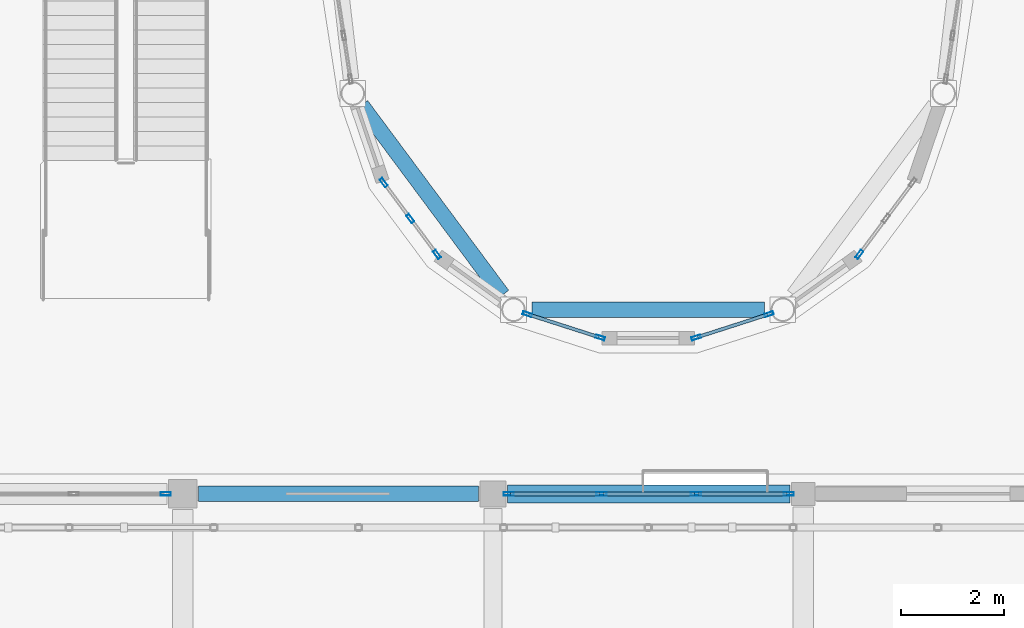
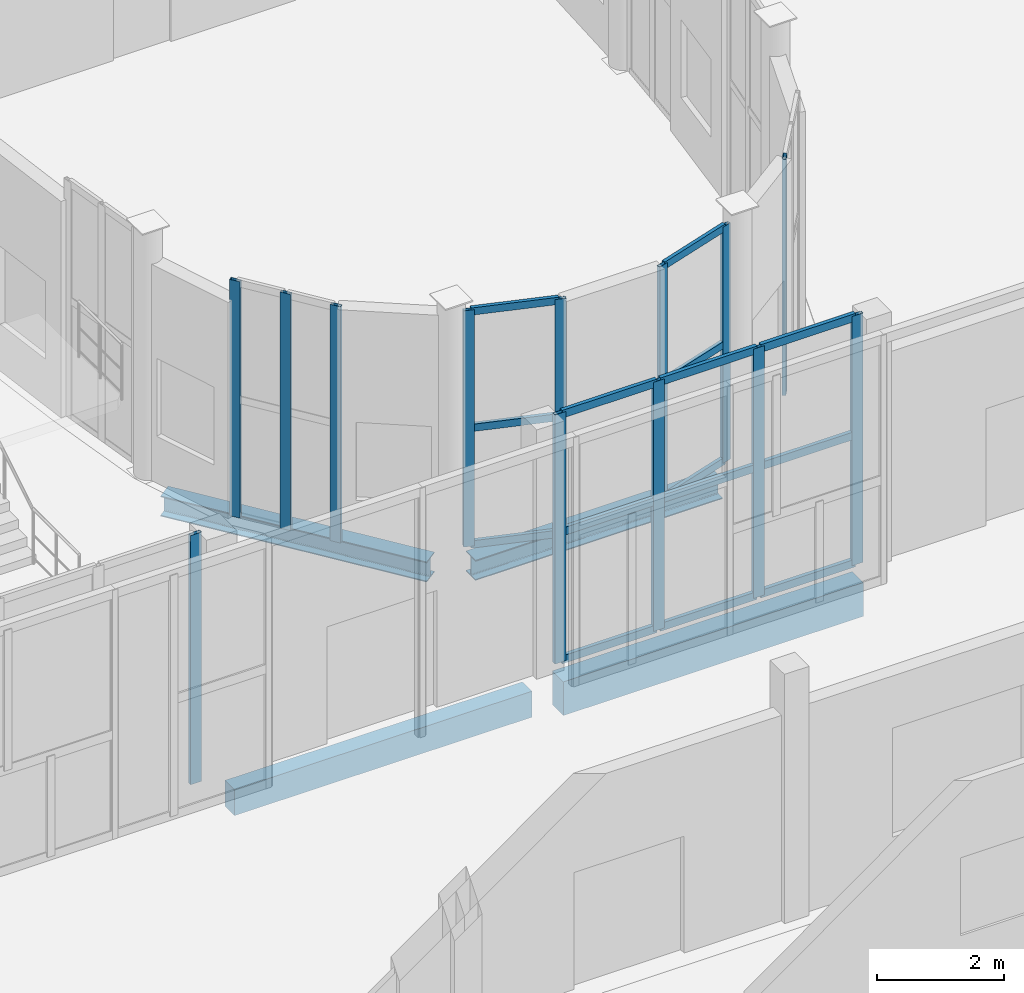
# One storey, part 28 of 91: 28 members, 4 beams, 6 elements without a shape of their own.
"""IFC4 building model written with IfcOpenShell, lengths in metres."""

from ifc_helpers import new_model, si_unit, direction, frame, origin, origin_2d, place, context, subcontext, project, spatial, rectangle, hollow_rectangle, i_section, extrude, material, layer, layer_set, material_profile, profile_set, type_object, element, aggregate, save


model = new_model("IFC4")

# Units and contexts
model_context = context("Model", 3, precision=1e-05, world=origin(), true_north=direction((0.0, 1.0)))
body_context = subcontext(model_context, "Body", "Model", "MODEL_VIEW")
ifc_project = project(units=[si_unit("LENGTHUNIT", "METRE"), si_unit("AREAUNIT", "SQUARE_METRE"), si_unit("VOLUMEUNIT", "CUBIC_METRE"), si_unit("PLANEANGLEUNIT", "RADIAN"), si_unit("MASSUNIT", "GRAM", prefix="KILO")], contexts=[model_context])

# Site, building, storey
site_placement = place(None, origin())
site = spatial("IfcSite", under=ifc_project, at=site_placement, CompositionType="ELEMENT")
building_placement = place(site_placement, origin())
building = spatial("IfcBuilding", under=site, at=building_placement, Name="Vinh Khe Railworks Police Headquarters", CompositionType="ELEMENT")
storey_placement = place(building_placement, origin())
storey = spatial("IfcBuildingStorey", under=building, at=storey_placement, Name="L00", CompositionType="ELEMENT", Elevation=0.0)

# Curtain wall, members
ifc_material_1 = material(Name="Anodised aluminium and acoustic laminated glass", Category="aluminium")
ifc_layer_1 = layer(ifc_material_1, 0.159912109375)
ifc_layer_set_1 = layer_set([ifc_layer_1], Name="Anodised aluminium and acoustic laminated glass")
curtain_wall_type_1 = type_object("IfcCurtainWallType", Name="CW-DRUM-CHORD", PredefinedType="USERDEFINED", material=ifc_layer_set_1)
curtain_wall_1_placement = place(storey_placement, origin())
curtain_wall_1 = element("IfcCurtainWall", 1, at=curtain_wall_1_placement, inside=storey, type_object=curtain_wall_type_1, Name="Elliptical Command Drum Glazing L00 Chord 29", ObjectType="DRUM FACADE GLAZING", PredefinedType="USERDEFINED")
ifc_material_2 = material(Name="Anodised aluminium 6063-T6", Category="aluminium")
ifc_material_profile_1 = material_profile(ifc_material_2, hollow_rectangle(XDim=0.06494140625, YDim=0.179931640625, WallThickness=0.0048828125, at=origin_2d()), Name="CW-M 65x180x5")
ifc_profile_set_1 = profile_set([ifc_material_profile_1], Name="Anodised aluminium 6063-T6")
member_type_1 = type_object("IfcMemberType", Name="MULL-CWM-02", PredefinedType="MULLION", material=ifc_profile_set_1)
member_1_placement = place(storey_placement, frame((38.085205078125, 31.22021484375, 0.0), z_axis=(0.0, 0.0, 1.0), x_axis=(0.802591949394, 0.596528425784, 0.0)))
member_1 = element("IfcMember", 2, at=member_1_placement, type_object=member_type_1, Name="CW-02 mullion 1", PredefinedType="MULLION", context=body_context, shape_type="SweptSolid", body=[
    extrude(hollow_rectangle(XDim=0.06494140625, YDim=0.179931640625, WallThickness=0.0048828125, at=origin_2d()), origin(), (0.0, 0.0, 1.0), 4.550048828125),
])
member_2_placement = place(storey_placement, frame((38.60107421875, 30.5263671875, 0.0), z_axis=(0.0, 0.0, 1.0), x_axis=(0.802591949394, 0.596528425784, 0.0)))
member_2 = element("IfcMember", 3, at=member_2_placement, type_object=member_type_1, Name="CW-02 mullion 2", PredefinedType="MULLION", context=body_context, shape_type="SweptSolid", body=[
    extrude(hollow_rectangle(XDim=0.06494140625, YDim=0.179931640625, WallThickness=0.0048828125, at=origin_2d()), origin(), (0.0, 0.0, 1.0), 4.550048828125),
])
member_3_placement = place(storey_placement, frame((39.11669921875, 29.83251953125, 0.0), z_axis=(0.0, 0.0, 1.0), x_axis=(0.802591949394, 0.596528425784, 0.0)))
member_3 = element("IfcMember", 4, at=member_3_placement, type_object=member_type_1, Name="CW-02 mullion 3", PredefinedType="MULLION", context=body_context, shape_type="SweptSolid", body=[
    extrude(hollow_rectangle(XDim=0.06494140625, YDim=0.179931640625, WallThickness=0.0048828125, at=origin_2d()), origin(), (0.0, 0.0, 1.0), 4.550048828125),
])
aggregate(curtain_wall_1, [member_1, member_2, member_3])

curtain_wall_2_placement = place(storey_placement, origin())
curtain_wall_2 = element("IfcCurtainWall", 5, at=curtain_wall_2_placement, inside=storey, type_object=curtain_wall_type_1, Name="Elliptical Command Drum Glazing L00 Chord 31", ObjectType="DRUM FACADE GLAZING", PredefinedType="USERDEFINED")
member_4_placement = place(storey_placement, frame((40.862548828125, 28.6767578125, 0.0), z_axis=(0.0, 0.0, 1.0), x_axis=(0.30557599733, 0.952167689987, 0.0)))
member_4 = element("IfcMember", 6, at=member_4_placement, type_object=member_type_1, Name="CW-02 mullion 1", PredefinedType="MULLION", context=body_context, shape_type="SweptSolid", body=[
    extrude(hollow_rectangle(XDim=0.06494140625, YDim=0.179931640625, WallThickness=0.0048828125, at=origin_2d()), origin(), (0.0, 0.0, 1.0), 4.550048828125),
])
member_5_placement = place(storey_placement, frame((42.27197265625, 28.224365234375, 0.0), z_axis=(0.0, 0.0, 1.0), x_axis=(0.30557599733, 0.952167689987, 0.0)))
member_5 = element("IfcMember", 7, at=member_5_placement, type_object=member_type_1, Name="CW-02 mullion 2", PredefinedType="MULLION", context=body_context, shape_type="SweptSolid", body=[
    extrude(hollow_rectangle(XDim=0.06494140625, YDim=0.179931640625, WallThickness=0.0048828125, at=origin_2d()), origin(), (0.0, 0.0, 1.0), 4.550048828125),
])

curtain_wall_3_placement = place(storey_placement, origin())
curtain_wall_3 = element("IfcCurtainWall", 8, at=curtain_wall_3_placement, inside=storey, type_object=curtain_wall_type_1, Name="Elliptical Command Drum Glazing L00 Chord 33", ObjectType="DRUM FACADE GLAZING", PredefinedType="USERDEFINED")
member_6_placement = place(storey_placement, frame((44.1279296875, 28.224365234375, 0.0), z_axis=(0.0, 0.0, 1.0), x_axis=(-0.30557599733, 0.952167689987, 0.0)))
member_6 = element("IfcMember", 9, at=member_6_placement, type_object=member_type_1, Name="CW-02 mullion 1", PredefinedType="MULLION", context=body_context, shape_type="SweptSolid", body=[
    extrude(hollow_rectangle(XDim=0.06494140625, YDim=0.179931640625, WallThickness=0.0048828125, at=origin_2d()), origin(), (0.0, 0.0, 1.0), 4.550048828125),
])
member_7_placement = place(storey_placement, frame((45.53759765625, 28.6767578125, 0.0), z_axis=(0.0, 0.0, 1.0), x_axis=(-0.30557599733, 0.952167689987, 0.0)))
member_7 = element("IfcMember", 10, at=member_7_placement, type_object=member_type_1, Name="CW-02 mullion 2", PredefinedType="MULLION", context=body_context, shape_type="SweptSolid", body=[
    extrude(hollow_rectangle(XDim=0.06494140625, YDim=0.179931640625, WallThickness=0.0048828125, at=origin_2d()), origin(), (0.0, 0.0, 1.0), 4.550048828125),
])

# Curtain wall, member
curtain_wall_4_placement = place(storey_placement, origin())
curtain_wall_4 = element("IfcCurtainWall", 11, at=curtain_wall_4_placement, inside=storey, type_object=curtain_wall_type_1, Name="Elliptical Command Drum Glazing L00 Chord 35", ObjectType="DRUM FACADE GLAZING", PredefinedType="USERDEFINED")
member_8_placement = place(storey_placement, frame((47.283447265625, 29.83251953125, 0.0), z_axis=(0.0, 0.0, 1.0), x_axis=(-0.802591949394, 0.596528425784, 0.0)))
member_8 = element("IfcMember", 12, at=member_8_placement, type_object=member_type_1, Name="CW-02 mullion 1", PredefinedType="MULLION", context=body_context, shape_type="SweptSolid", body=[
    extrude(hollow_rectangle(XDim=0.06494140625, YDim=0.179931640625, WallThickness=0.0048828125, at=origin_2d()), origin(), (0.0, 0.0, 1.0), 4.550048828125),
])
aggregate(curtain_wall_4, [member_8])

ifc_material_3 = material(Name="Anodised aluminium and low-iron glass", Category="aluminium")
ifc_layer_2 = layer(ifc_material_3, 0.179931640625)
ifc_layer_set_2 = layer_set([ifc_layer_2], Name="Anodised aluminium and low-iron glass")
curtain_wall_type_2 = type_object("IfcCurtainWallType", Name="CW-CUBE-UNIT", PredefinedType="USERDEFINED", material=ifc_layer_set_2)
curtain_wall_5_placement = place(storey_placement, origin())
curtain_wall_5 = element("IfcCurtainWall", 13, at=curtain_wall_5_placement, inside=storey, type_object=curtain_wall_type_2, Name="Entrance Hall Curtain Wall L00 S-1", ObjectType="UNITISED GLAZING", PredefinedType="USERDEFINED")
ifc_material_profile_2 = material_profile(ifc_material_2, hollow_rectangle(XDim=0.070068359375, YDim=0.199951171875, WallThickness=0.0048828125, at=origin_2d()), Name="CW-M 70x200x5")
ifc_profile_set_2 = profile_set([ifc_material_profile_2], Name="Anodised aluminium 6063-T6")
member_type_2 = type_object("IfcMemberType", Name="MULL-CWM-03", PredefinedType="MULLION", material=ifc_profile_set_2)
member_9_placement = place(storey_placement, frame((33.8701171875, 25.199951171875, 0.0), z_axis=(0.0, 0.0, 1.0), x_axis=(0.0, 1.0, 0.0)))
member_9 = element("IfcMember", 14, at=member_9_placement, type_object=member_type_2, Name="CW-01 mullion 5", PredefinedType="MULLION", context=body_context, shape_type="SweptSolid", body=[
    extrude(hollow_rectangle(XDim=0.070068359375, YDim=0.199951171875, WallThickness=0.0048828125, at=origin_2d()), origin(), (0.0, 0.0, 1.0), 4.800048828125),
])
aggregate(curtain_wall_5, [member_9])

# Curtain wall, members
curtain_wall_6_placement = place(storey_placement, origin())
curtain_wall_6 = element("IfcCurtainWall", 15, at=curtain_wall_6_placement, inside=storey, type_object=curtain_wall_type_2, Name="Entrance Hall Curtain Wall L00 S-3", ObjectType="UNITISED GLAZING", PredefinedType="USERDEFINED")
member_10_placement = place(storey_placement, frame((40.5048828125, 25.199951171875, 0.0), z_axis=(0.0, 0.0, 1.0), x_axis=(0.0, 1.0, 0.0)))
member_10 = element("IfcMember", 16, at=member_10_placement, type_object=member_type_2, Name="CW-01 mullion 1", PredefinedType="MULLION", context=body_context, shape_type="SweptSolid", body=[
    extrude(hollow_rectangle(XDim=0.070068359375, YDim=0.199951171875, WallThickness=0.0048828125, at=origin_2d()), origin(), (0.0, 0.0, 1.0), 4.800048828125),
])
member_11_placement = place(storey_placement, frame((42.29833984375, 25.199951171875, 0.0), z_axis=(0.0, 0.0, 1.0), x_axis=(0.0, 1.0, 0.0)))
member_11 = element("IfcMember", 17, at=member_11_placement, type_object=member_type_2, Name="CW-01 mullion 2", PredefinedType="MULLION", context=body_context, shape_type="SweptSolid", body=[
    extrude(hollow_rectangle(XDim=0.070068359375, YDim=0.199951171875, WallThickness=0.0048828125, at=origin_2d()), origin(), (0.0, 0.0, 1.0), 4.800048828125),
])
member_12_placement = place(storey_placement, frame((44.126708984375, 25.199951171875, 0.0), z_axis=(0.0, 0.0, 1.0), x_axis=(0.0, 1.0, 0.0)))
member_12 = element("IfcMember", 18, at=member_12_placement, type_object=member_type_2, Name="CW-01 mullion 3", PredefinedType="MULLION", context=body_context, shape_type="SweptSolid", body=[
    extrude(hollow_rectangle(XDim=0.070068359375, YDim=0.199951171875, WallThickness=0.0048828125, at=origin_2d()), origin(), (0.0, 0.0, 1.0), 4.800048828125),
])
member_13_placement = place(storey_placement, frame((45.919921875, 25.199951171875, 0.0), z_axis=(0.0, 0.0, 1.0), x_axis=(0.0, 1.0, 0.0)))
member_13 = element("IfcMember", 19, at=member_13_placement, type_object=member_type_2, Name="CW-01 mullion 4", PredefinedType="MULLION", context=body_context, shape_type="SweptSolid", body=[
    extrude(hollow_rectangle(XDim=0.070068359375, YDim=0.199951171875, WallThickness=0.0048828125, at=origin_2d()), origin(), (0.0, 0.0, 1.0), 4.800048828125),
])

# Beams
ifc_material_4 = material(Name="Concrete C35/45 (B35)", Category="concrete")
ifc_material_profile_3 = material_profile(ifc_material_4, rectangle(XDim=0.300048828125, YDim=0.5, at=origin_2d()), Name="RC 300x500")
ifc_profile_set_3 = profile_set([ifc_material_profile_3], Name="Concrete C35/45 (B35)")
beam_type_1 = type_object("IfcBeamType", Name="RC Girder RC 300x500", PredefinedType="BEAM", material=ifc_profile_set_3)
beam_1_placement = place(storey_placement, frame((34.5048828125, 25.199951171875, -0.530029296875), z_axis=(1.0, 0.0, 0.0), x_axis=(0.0, 1.0, 0.0)))
element("IfcBeam", 20, at=beam_1_placement, inside=storey, type_object=beam_type_1, Name="Girder BM-L00-EW-RB-10-0039", PredefinedType="BEAM", context=body_context, shape_type="SweptSolid", body=[
    extrude(rectangle(XDim=0.300048828125, YDim=0.5, at=origin_2d()), origin(), (0.0, 0.0, 1.0), 5.4150390625),
])
ifc_material_profile_4 = material_profile(ifc_material_4, rectangle(XDim=0.35009765625, YDim=0.64990234375, at=origin_2d()), Name="RC 350x650")
ifc_profile_set_4 = profile_set([ifc_material_profile_4], Name="Concrete C35/45 (B35)")
beam_type_2 = type_object("IfcBeamType", Name="RC Girder RC 350x650", PredefinedType="BEAM", material=ifc_profile_set_4)
beam_2_placement = place(storey_placement, frame((40.47998046875, 25.199951171875, -0.60498046875), z_axis=(1.0, 0.0, 0.0), x_axis=(0.0, 1.0, 0.0)))
element("IfcBeam", 21, at=beam_2_placement, inside=storey, type_object=beam_type_2, Name="Girder BM-L00-EW-RB-08-0040", PredefinedType="BEAM", context=body_context, shape_type="SweptSolid", body=[
    extrude(rectangle(XDim=0.35009765625, YDim=0.64990234375, at=origin_2d()), origin(), (0.0, 0.0, 1.0), 5.465087890625),
])
ifc_material_5 = material(Name="Steel S355JR", Category="steel")
ifc_material_profile_5 = material_profile(ifc_material_5, i_section(OverallWidth=0.300048828125, OverallDepth=0.389892578125, WebThickness=0.010986328125, FlangeThickness=0.01904296875, FilletRadius=0.027099609375, at=origin_2d()), Name="HEA 400")
ifc_profile_set_5 = profile_set([ifc_material_profile_5], Name="Steel S355JR")
beam_type_3 = type_object("IfcBeamType", Name="Steel Girder HEA 400", PredefinedType="BEAM", material=ifc_profile_set_5)
beam_3_placement = place(storey_placement, frame((37.65380859375, 32.719482421875, -0.47509765625), z_axis=(0.59651948992, -0.802598590919, 0.0), x_axis=(0.802598590919, 0.59651948992, 0.0)))
element("IfcBeam", 22, at=beam_3_placement, inside=storey, type_object=beam_type_3, Name="Drum Ring Girder BM-L00-DRUM-SB-14-0392", PredefinedType="BEAM", context=body_context, shape_type="SweptSolid", body=[
    extrude(i_section(OverallWidth=0.300048828125, OverallDepth=0.389892578125, WebThickness=0.010986328125, FlangeThickness=0.01904296875, FilletRadius=0.027099609375, at=origin_2d()), origin(), (0.0, 0.0, 1.0), 4.5751953125),
])
beam_4_placement = place(storey_placement, frame((40.949951171875, 28.762451171875, -0.47509765625), z_axis=(1.0, 0.0, 0.0), x_axis=(0.0, 1.0, 0.0)))
element("IfcBeam", 23, at=beam_4_placement, inside=storey, type_object=beam_type_3, Name="Drum Ring Girder BM-L00-DRUM-SB-14-0393", PredefinedType="BEAM", context=body_context, shape_type="SweptSolid", body=[
    extrude(i_section(OverallWidth=0.300048828125, OverallDepth=0.389892578125, WebThickness=0.010986328125, FlangeThickness=0.01904296875, FilletRadius=0.027099609375, at=origin_2d()), origin(), (0.0, 0.0, 1.0), 4.500244140625),
])

# Member
ifc_material_profile_6 = material_profile(ifc_material_2, hollow_rectangle(XDim=0.06494140625, YDim=0.139892578125, WallThickness=0.00390625, at=origin_2d()), Name="CW-T 65x140x4")
ifc_profile_set_6 = profile_set([ifc_material_profile_6], Name="Anodised aluminium 6063-T6")
member_type_3 = type_object("IfcMemberType", Name="TRAN-CWT-02", PredefinedType="USERDEFINED", material=ifc_profile_set_6)
member_14_placement = place(storey_placement, frame((40.893310546875, 28.666748046875, 0.032470703125), z_axis=(0.952159464985, -0.30560162506, 0.0), x_axis=(0.30560162506, 0.952159464985, 0.0)))
member_14 = element("IfcMember", 24, at=member_14_placement, type_object=member_type_3, Name="CW-02 transom 1.1", ObjectType="TRANSOM", PredefinedType="USERDEFINED", context=body_context, shape_type="SweptSolid", body=[
    extrude(hollow_rectangle(XDim=0.06494140625, YDim=0.139892578125, WallThickness=0.00390625, at=origin_2d()), origin(), (0.0, 0.0, 1.0), 1.41552734375),
])

member_15_placement = place(storey_placement, frame((40.893310546875, 28.666748046875, 2.27490234375), z_axis=(0.952159464985, -0.30560162506, 0.0), x_axis=(0.30560162506, 0.952159464985, 0.0)))
member_15 = element("IfcMember", 25, at=member_15_placement, type_object=member_type_3, Name="CW-02 transom 1.2", ObjectType="TRANSOM", PredefinedType="USERDEFINED", context=body_context, shape_type="SweptSolid", body=[
    extrude(hollow_rectangle(XDim=0.06494140625, YDim=0.139892578125, WallThickness=0.00390625, at=origin_2d()), origin(), (0.0, 0.0, 1.0), 1.41552734375),
])

member_16_placement = place(storey_placement, frame((40.893310546875, 28.666748046875, 4.517578125), z_axis=(0.952159464985, -0.30560162506, 0.0), x_axis=(0.30560162506, 0.952159464985, 0.0)))
member_16 = element("IfcMember", 26, at=member_16_placement, type_object=member_type_3, Name="CW-02 transom 1.3", ObjectType="TRANSOM", PredefinedType="USERDEFINED", context=body_context, shape_type="SweptSolid", body=[
    extrude(hollow_rectangle(XDim=0.06494140625, YDim=0.139892578125, WallThickness=0.00390625, at=origin_2d()), origin(), (0.0, 0.0, 1.0), 1.41552734375),
])

aggregate(curtain_wall_2, [member_4, member_5, member_14, member_15, member_16])

member_17_placement = place(storey_placement, frame((44.158935546875, 28.234130859375, 0.032470703125), z_axis=(0.95214335444, 0.305651815954, 0.0), x_axis=(-0.305651815954, 0.95214335444, 0.0)))
member_17 = element("IfcMember", 27, at=member_17_placement, type_object=member_type_3, Name="CW-02 transom 1.1", ObjectType="TRANSOM", PredefinedType="USERDEFINED", context=body_context, shape_type="SweptSolid", body=[
    extrude(hollow_rectangle(XDim=0.06494140625, YDim=0.139892578125, WallThickness=0.00390625, at=origin_2d()), origin(), (0.0, 0.0, 1.0), 1.415283203125),
])

member_18_placement = place(storey_placement, frame((44.158935546875, 28.234130859375, 2.27490234375), z_axis=(0.95214335444, 0.305651815954, 0.0), x_axis=(-0.305651815954, 0.95214335444, 0.0)))
member_18 = element("IfcMember", 28, at=member_18_placement, type_object=member_type_3, Name="CW-02 transom 1.2", ObjectType="TRANSOM", PredefinedType="USERDEFINED", context=body_context, shape_type="SweptSolid", body=[
    extrude(hollow_rectangle(XDim=0.06494140625, YDim=0.139892578125, WallThickness=0.00390625, at=origin_2d()), origin(), (0.0, 0.0, 1.0), 1.415283203125),
])

member_19_placement = place(storey_placement, frame((44.158935546875, 28.234130859375, 4.517578125), z_axis=(0.95214335444, 0.305651815954, 0.0), x_axis=(-0.305651815954, 0.95214335444, 0.0)))
member_19 = element("IfcMember", 29, at=member_19_placement, type_object=member_type_3, Name="CW-02 transom 1.3", ObjectType="TRANSOM", PredefinedType="USERDEFINED", context=body_context, shape_type="SweptSolid", body=[
    extrude(hollow_rectangle(XDim=0.06494140625, YDim=0.139892578125, WallThickness=0.00390625, at=origin_2d()), origin(), (0.0, 0.0, 1.0), 1.415283203125),
])

aggregate(curtain_wall_3, [member_6, member_7, member_17, member_18, member_19])

ifc_material_profile_7 = material_profile(ifc_material_2, hollow_rectangle(XDim=0.070068359375, YDim=0.14990234375, WallThickness=0.0048828125, at=origin_2d()), Name="CW-T 70x150x5")
ifc_profile_set_7 = profile_set([ifc_material_profile_7], Name="Anodised aluminium 6063-T6")
member_type_4 = type_object("IfcMemberType", Name="TRAN-CWT-03", PredefinedType="USERDEFINED", material=ifc_profile_set_7)
member_20_placement = place(storey_placement, frame((40.5400390625, 25.199951171875, 0.034912109375), z_axis=(1.0, 0.0, 0.0), x_axis=(0.0, 1.0, 0.0)))
member_20 = element("IfcMember", 30, at=member_20_placement, type_object=member_type_4, Name="CW-01 transom 1.1", ObjectType="TRANSOM", PredefinedType="USERDEFINED", context=body_context, shape_type="SweptSolid", body=[
    extrude(hollow_rectangle(XDim=0.070068359375, YDim=0.14990234375, WallThickness=0.0048828125, at=origin_2d()), origin(), (0.0, 0.0, 1.0), 1.723388671875),
])

member_21_placement = place(storey_placement, frame((40.5400390625, 25.199951171875, 2.49609375), z_axis=(1.0, 0.0, 0.0), x_axis=(0.0, 1.0, 0.0)))
member_21 = element("IfcMember", 31, at=member_21_placement, type_object=member_type_4, Name="CW-01 transom 1.2", ObjectType="TRANSOM", PredefinedType="USERDEFINED", context=body_context, shape_type="SweptSolid", body=[
    extrude(hollow_rectangle(XDim=0.070068359375, YDim=0.14990234375, WallThickness=0.0048828125, at=origin_2d()), origin(), (0.0, 0.0, 1.0), 1.723388671875),
])

member_22_placement = place(storey_placement, frame((40.5400390625, 25.199951171875, 4.764892578125), z_axis=(1.0, 0.0, 0.0), x_axis=(0.0, 1.0, 0.0)))
member_22 = element("IfcMember", 32, at=member_22_placement, type_object=member_type_4, Name="CW-01 transom 1.3", ObjectType="TRANSOM", PredefinedType="USERDEFINED", context=body_context, shape_type="SweptSolid", body=[
    extrude(hollow_rectangle(XDim=0.070068359375, YDim=0.14990234375, WallThickness=0.0048828125, at=origin_2d()), origin(), (0.0, 0.0, 1.0), 1.723388671875),
])

member_23_placement = place(storey_placement, frame((42.333251953125, 25.199951171875, 0.034912109375), z_axis=(1.0, 0.0, 0.0), x_axis=(0.0, 1.0, 0.0)))
member_23 = element("IfcMember", 33, at=member_23_placement, type_object=member_type_4, Name="CW-01 transom 2.1", ObjectType="TRANSOM", PredefinedType="USERDEFINED", context=body_context, shape_type="SweptSolid", body=[
    extrude(hollow_rectangle(XDim=0.070068359375, YDim=0.14990234375, WallThickness=0.0048828125, at=origin_2d()), origin(), (0.0, 0.0, 1.0), 1.75830078125),
])

member_24_placement = place(storey_placement, frame((42.333251953125, 25.199951171875, 2.49609375), z_axis=(1.0, 0.0, 0.0), x_axis=(0.0, 1.0, 0.0)))
member_24 = element("IfcMember", 34, at=member_24_placement, type_object=member_type_4, Name="CW-01 transom 2.2", ObjectType="TRANSOM", PredefinedType="USERDEFINED", context=body_context, shape_type="SweptSolid", body=[
    extrude(hollow_rectangle(XDim=0.070068359375, YDim=0.14990234375, WallThickness=0.0048828125, at=origin_2d()), origin(), (0.0, 0.0, 1.0), 1.75830078125),
])

member_25_placement = place(storey_placement, frame((42.333251953125, 25.199951171875, 4.764892578125), z_axis=(1.0, 0.0, 0.0), x_axis=(0.0, 1.0, 0.0)))
member_25 = element("IfcMember", 35, at=member_25_placement, type_object=member_type_4, Name="CW-01 transom 2.3", ObjectType="TRANSOM", PredefinedType="USERDEFINED", context=body_context, shape_type="SweptSolid", body=[
    extrude(hollow_rectangle(XDim=0.070068359375, YDim=0.14990234375, WallThickness=0.0048828125, at=origin_2d()), origin(), (0.0, 0.0, 1.0), 1.75830078125),
])

member_26_placement = place(storey_placement, frame((44.16162109375, 25.199951171875, 0.034912109375), z_axis=(1.0, 0.0, 0.0), x_axis=(0.0, 1.0, 0.0)))
member_26 = element("IfcMember", 36, at=member_26_placement, type_object=member_type_4, Name="CW-01 transom 3.1", ObjectType="TRANSOM", PredefinedType="USERDEFINED", context=body_context, shape_type="SweptSolid", body=[
    extrude(hollow_rectangle(XDim=0.070068359375, YDim=0.14990234375, WallThickness=0.0048828125, at=origin_2d()), origin(), (0.0, 0.0, 1.0), 1.723388671875),
])

member_27_placement = place(storey_placement, frame((44.16162109375, 25.199951171875, 2.49609375), z_axis=(1.0, 0.0, 0.0), x_axis=(0.0, 1.0, 0.0)))
member_27 = element("IfcMember", 37, at=member_27_placement, type_object=member_type_4, Name="CW-01 transom 3.2", ObjectType="TRANSOM", PredefinedType="USERDEFINED", context=body_context, shape_type="SweptSolid", body=[
    extrude(hollow_rectangle(XDim=0.070068359375, YDim=0.14990234375, WallThickness=0.0048828125, at=origin_2d()), origin(), (0.0, 0.0, 1.0), 1.723388671875),
])

member_28_placement = place(storey_placement, frame((44.16162109375, 25.199951171875, 4.764892578125), z_axis=(1.0, 0.0, 0.0), x_axis=(0.0, 1.0, 0.0)))
member_28 = element("IfcMember", 38, at=member_28_placement, type_object=member_type_4, Name="CW-01 transom 3.3", ObjectType="TRANSOM", PredefinedType="USERDEFINED", context=body_context, shape_type="SweptSolid", body=[
    extrude(hollow_rectangle(XDim=0.070068359375, YDim=0.14990234375, WallThickness=0.0048828125, at=origin_2d()), origin(), (0.0, 0.0, 1.0), 1.723388671875),
])

aggregate(curtain_wall_6, [member_10, member_11, member_12, member_13, member_20, member_21, member_22, member_23, member_24, member_25, member_26, member_27, member_28])

save(model, "model.ifc")
